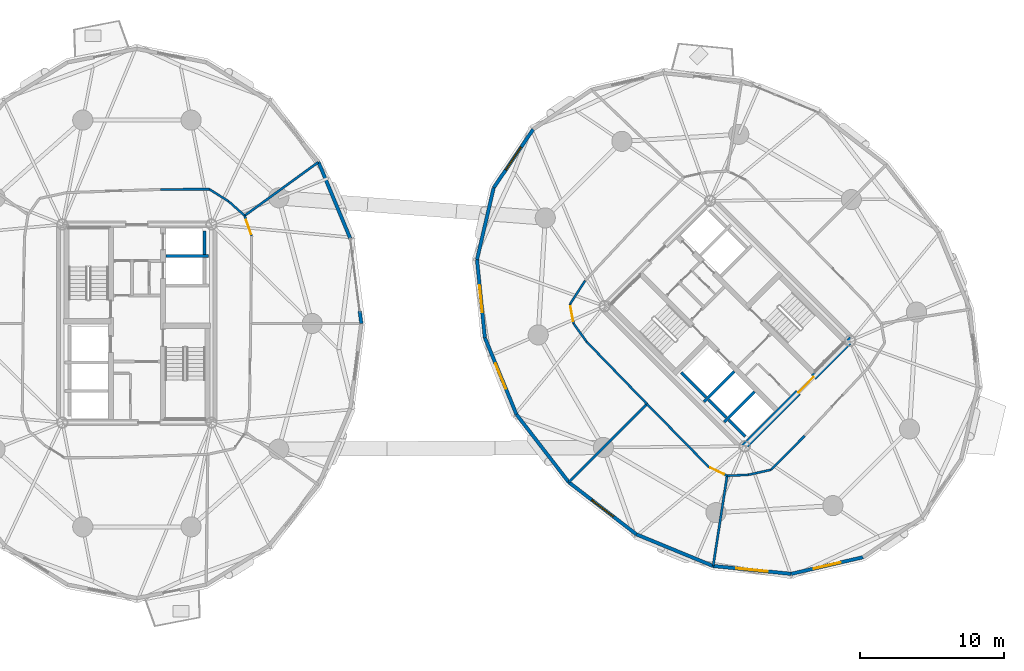
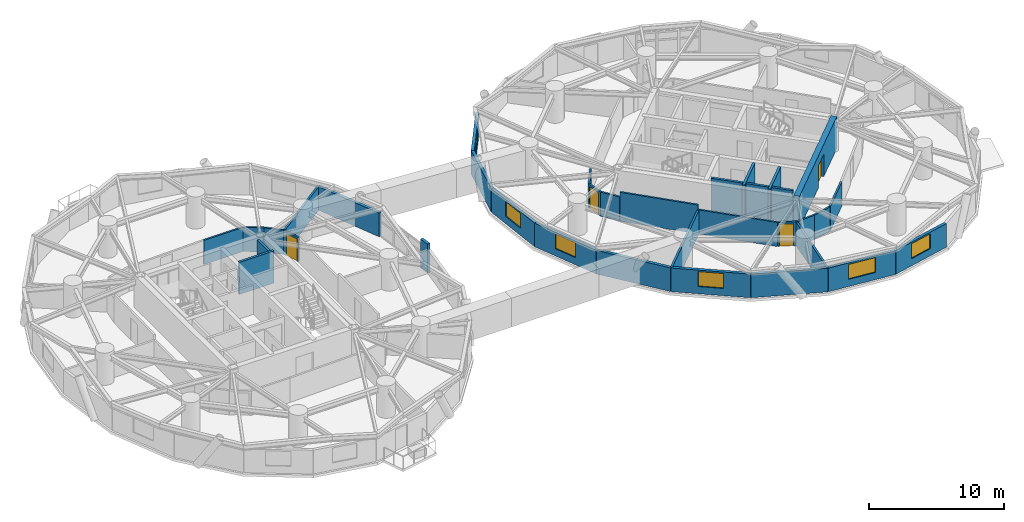
# One storey, part 12 of 18: 35 walls, 6 windows, 4 doors, 10 openings.
"""IFC4 building model written with IfcOpenShell, lengths in metres."""

from ifc_helpers import new_model, si_unit, direction, frame, frame_2d, origin, place, context, subcontext, project, spatial, rectangle, extrude, source, transform, mapped, material, layer, layer_set, type_object, element, fill, save


model = new_model("IFC4")

# Units and contexts
model_context = context("Model", 3, precision=1e-05, world=origin(), true_north=direction((0.0, 1.0)))
body_context = subcontext(model_context, "Body", "Model", "MODEL_VIEW")
ifc_project = project(units=[si_unit("LENGTHUNIT", "METRE"), si_unit("AREAUNIT", "SQUARE_METRE"), si_unit("VOLUMEUNIT", "CUBIC_METRE"), si_unit("PLANEANGLEUNIT", "RADIAN"), si_unit("MASSUNIT", "GRAM", prefix="KILO")], contexts=[model_context])

# Site, building, storey
site_placement = place(None, origin())
site = spatial("IfcSite", under=ifc_project, at=site_placement, CompositionType="ELEMENT")
building_placement = place(site_placement, origin())
building = spatial("IfcBuilding", under=site, at=building_placement, Name="Cununo Teusaquillo Station Towers", CompositionType="ELEMENT")
storey_placement = place(building_placement, frame((0.0, 0.0, 122.530029296875)))
storey = spatial("IfcBuildingStorey", under=building, at=storey_placement, Name="L39", CompositionType="ELEMENT", Elevation=122.530029296875)

# Walls
ifc_material_1 = material(Name="Concrete C50/60", Category="concrete")
ifc_layer_1 = layer(ifc_material_1, 0.199951171875)
ifc_layer_set_1 = layer_set([ifc_layer_1], Name="Concrete C50/60")
wall_type_1 = type_object("IfcWallType", Name="WL-CORE-200", PredefinedType="SHEAR", material=ifc_layer_set_1)
wall_1_placement = place(storey_placement, frame((18.510009765625, 29.175048828125, 0.0), z_axis=(0.0, 0.0, 1.0), x_axis=(1.0, 0.0, 0.0)))
element("IfcWall", 1, at=wall_1_placement, inside=storey, type_object=wall_type_1, Name="L39 Tower A Low-Rise Lift Hoistway Divider Shear Wall", PredefinedType="SHEAR", context=body_context, shape_type="SweptSolid", body=[
    extrude(rectangle(XDim=2.969970703125, YDim=0.199951171875, at=frame_2d((1.48486328125, 0.0))), origin(), (0.0, 0.0, 1.0), 2.909912109375),
])
wall_2_placement = place(storey_placement, frame((21.179931640625, 29.294921875, 0.0), z_axis=(0.0, 0.0, 1.0), x_axis=(0.0, 1.0, 0.0)))
element("IfcWall", 2, at=wall_2_placement, inside=storey, type_object=wall_type_1, Name="L39 Tower A Low-Rise Lift 2 Shaft Rear Shear Wall", PredefinedType="SHEAR", context=body_context, shape_type="SweptSolid", body=[
    extrude(rectangle(XDim=1.635009765625, YDim=0.199951171875, at=frame_2d((0.8173828125, 0.0))), origin(), (0.0, 0.0, 1.0), 2.909912109375),
])
wall_3_placement = place(storey_placement, frame((55.8876953125, 19.0693359375, 0.0), z_axis=(0.0, 0.0, 1.0), x_axis=(0.707106781187, 0.707106781187, 0.0)))
element("IfcWall", 3, at=wall_3_placement, inside=storey, type_object=wall_type_1, Name="L39 Tower B Firefighting Lift Shaft South Shear Wall", PredefinedType="SHEAR", context=body_context, shape_type="SweptSolid", body=[
    extrude(rectangle(XDim=2.969970703125, YDim=0.199951171875, at=frame_2d((1.48486328125, 0.0))), origin(), (0.0, 0.0, 1.0), 2.909912109375),
])
wall_4_placement = place(storey_placement, frame((56.01513671875, 19.366455078125, 0.0), z_axis=(0.0, 0.0, 1.0), x_axis=(-0.707106781187, 0.707106781187, 0.0)))
element("IfcWall", 4, at=wall_4_placement, inside=storey, type_object=wall_type_1, Name="L39 Tower B Firefighting Lift Shaft Rear Shear Wall", PredefinedType="SHEAR", context=body_context, shape_type="SweptSolid", body=[
    extrude(rectangle(XDim=2.43994140625, YDim=0.199951171875, at=frame_2d((1.219970703125, 0.0))), origin(), (0.0, 0.0, 1.0), 2.909912109375),
])
wall_5_placement = place(storey_placement, frame((57.2841796875, 17.6728515625, 0.0), z_axis=(0.0, 0.0, 1.0), x_axis=(0.707147878904, 0.70706568108, 0.0)))
element("IfcWall", 5, at=wall_5_placement, inside=storey, type_object=wall_type_1, Name="L39 Tower B High-Rise Lift Hoistway Divider Shear Wall", PredefinedType="SHEAR", context=body_context, shape_type="SweptSolid", body=[
    extrude(rectangle(XDim=2.97021484375, YDim=0.199951171875, at=frame_2d((1.485107421875, 0.0))), origin(), (0.0, 0.0, 1.0), 2.909912109375),
])
wall_6_placement = place(storey_placement, frame((57.41162109375, 17.969970703125, 0.0), z_axis=(0.0, 0.0, 1.0), x_axis=(-0.707106781187, 0.707106781187, 0.0)))
element("IfcWall", 6, at=wall_6_placement, inside=storey, type_object=wall_type_1, Name="L39 Tower B High-Rise Lift 2 Shaft Rear Shear Wall", PredefinedType="SHEAR", context=body_context, shape_type="SweptSolid", body=[
    extrude(rectangle(XDim=1.73486328125, YDim=0.199951171875, at=frame_2d((0.867431640625, 0.0))), origin(), (0.0, 0.0, 1.0), 2.909912109375),
])
wall_7_placement = place(storey_placement, frame((58.7373046875, 16.64404296875, 0.0), z_axis=(0.0, 0.0, 1.0), x_axis=(-0.707032117043, 0.707181437447, 0.0)))
element("IfcWall", 7, at=wall_7_placement, inside=storey, type_object=wall_type_1, Name="L39 Tower B High-Rise Lift 1 Shaft Rear Shear Wall", PredefinedType="SHEAR", context=body_context, shape_type="SweptSolid", body=[
    extrude(rectangle(XDim=1.635009765625, YDim=0.199951171875, at=frame_2d((0.8173828125, 0.0))), origin(), (0.0, 0.0, 1.0), 2.909912109375),
])

# Wall, opening, door
ifc_material_2 = material(Name="Concrete C60/75", Category="concrete")
ifc_layer_2 = layer(ifc_material_2, 0.449951171875)
ifc_layer_set_2 = layer_set([ifc_layer_2], Name="Concrete C60/75")
wall_type_2 = type_object("IfcWallType", Name="WL-CORE-450", PredefinedType="SHEAR", material=ifc_layer_set_2)
wall_8_placement = place(storey_placement, frame((58.578369140625, 15.855712890625, 0.0), z_axis=(0.0, 0.0, 1.0), x_axis=(0.707106781187, 0.707106781187, 0.0)))
wall_8 = element("IfcWall", 8, at=wall_8_placement, inside=storey, type_object=wall_type_2, Name="L39 Tower B Core Shear Wall S", PredefinedType="SHEAR", context=body_context, shape_type="SweptSolid", body=[
    extrude(rectangle(XDim=10.69970703125, YDim=0.449951171875, at=frame_2d((5.349853515625, 0.0))), origin(), (0.0, 0.0, 1.0), 2.909912109375),
])
shared_shape_1 = source(origin(), body_context, "Body", "SweptSolid", [
    extrude(rectangle(XDim=1.5, YDim=2.02001953125, at=frame_2d((0.75, 1.010009765625))), frame((0.0, 0.23486328125, 0.0), z_axis=(0.0, -1.0, 0.0), x_axis=(1.0, 0.0, 0.0)), (0.0, 0.0, 1.0), 0.469970703125),
])
opening_1_placement = place(wall_8_placement, frame((5.449951171875, 0.0, 0.0)))
opening_1 = element("IfcOpeningElement", 9, at=opening_1_placement, cuts=wall_8, Name="Opening D-LB1", PredefinedType="OPENING", context=body_context, shape_type="MappedRepresentation", body=[
    mapped(shared_shape_1, transform((0.0, 0.0, 0.0), x_axis=(1.0, 0.0, 0.0), y_axis=(0.0, 1.0, 0.0), z_axis=(0.0, 0.0, 1.0), scale=1.0)),
])
ifc_material_3 = material(Name="Galvanised fire-rated hollow steel door assembly", Category="steel")
door_type_1 = type_object("IfcDoorType", Name="DR-LOBBY-1500", OperationType="DOUBLE_DOOR_SINGLE_SWING", PredefinedType="DOOR", material=ifc_material_3)
shared_shape_2 = source(origin(), body_context, "Body", "SweptSolid", [
    extrude(rectangle(XDim=1.5, YDim=2.02001953125, at=frame_2d((0.75, 1.010009765625))), frame((0.0, 0.02490234375, 0.0), z_axis=(0.0, -1.0, 0.0), x_axis=(1.0, 0.0, 0.0)), (0.0, 0.0, 1.0), 0.050048828125),
])
door_1_placement = place(opening_1_placement, origin())
door_1 = element("IfcDoor", 10, at=door_1_placement, inside=storey, type_object=door_type_1, Name="L39 Tower B South Core Lift Lobby Door", OperationType="DOUBLE_DOOR_SINGLE_SWING", OverallHeight=2.02001953125, OverallWidth=1.5, PredefinedType="DOOR", context=body_context, shape_type="MappedRepresentation", body=[
    mapped(shared_shape_2, transform((0.0, 0.0, 0.0), x_axis=(1.0, 0.0, 0.0), y_axis=(0.0, 1.0, 0.0), z_axis=(0.0, 0.0, 1.0), scale=1.0)),
])
fill(opening_1, door_1)

# Walls
ifc_material_4 = material(Name="Precast concrete C40/50", Category="concrete")
ifc_layer_3 = layer(ifc_material_4, 0.239990234375)
ifc_layer_set_3 = layer_set([ifc_layer_3], Name="Precast concrete C40/50")
wall_type_3 = type_object("IfcWallType", Name="WL-EXT-240", PredefinedType="SOLIDWALL", material=ifc_layer_set_3)
wall_9_placement = place(storey_placement, frame((31.96923828125, 25.36279296875, 0.0), z_axis=(0.0, 0.0, 1.0), x_axis=(0.128523364007, -0.991706481225, 0.0)))
element("IfcWall", 11, at=wall_9_placement, inside=storey, type_object=wall_type_3, Name="L39 Tower A Column Pier Cladding Wall C00-PB", PredefinedType="SOLIDWALL", context=body_context, shape_type="SweptSolid", body=[
    extrude(rectangle(XDim=0.8701171875, YDim=0.239990234375, at=frame_2d((0.43505859375, 0.0))), origin(), (0.0, 0.0, 1.0), 2.614990234375),
])
wall_10_placement = place(storey_placement, frame((29.105224609375, 35.708984375, 0.0), z_axis=(0.0, 0.0, 1.0), x_axis=(0.384344417632, -0.923189779317, 0.0)))
element("IfcWall", 12, at=wall_10_placement, inside=storey, type_object=wall_type_3, Name="L39 Tower A Exterior Facade Wall C01", PredefinedType="SOLIDWALL", context=body_context, shape_type="SweptSolid", body=[
    extrude(rectangle(XDim=5.75830078125, YDim=0.239990234375, at=frame_2d((2.879150390625, 0.0))), origin(), (0.0, 0.0, 1.0), 2.138916015625),
])

# Wall, opening, window
wall_11_placement = place(storey_placement, frame((41.27099609375, 33.919921875, 0.0), z_axis=(0.0, 0.0, 1.0), x_axis=(0.559572880421, 0.828781148131, 0.0)))
wall_11 = element("IfcWall", 13, at=wall_11_placement, inside=storey, type_object=wall_type_3, Name="L39 Tower B Exterior Facade Wall C05", PredefinedType="SOLIDWALL", context=body_context, shape_type="SweptSolid", body=[
    extrude(rectangle(XDim=4.904541015625, YDim=0.239990234375, at=frame_2d((2.4521484375, 0.0))), origin(), (0.0, 0.0, 1.0), 2.138916015625),
])
shared_shape_3 = source(origin(), body_context, "Body", "SweptSolid", [
    extrude(rectangle(XDim=1.89990234375, YDim=1.35009765625, at=frame_2d((0.949951171875, 0.675048828125))), frame((0.0, 0.1298828125, 0.0), z_axis=(0.0, -1.0, 0.0), x_axis=(1.0, 0.0, 0.0)), (0.0, 0.0, 1.0), 0.260009765625),
])
opening_2_placement = place(wall_11_placement, frame((1.501953125, 0.0, 0.64990234375)))
opening_2 = element("IfcOpeningElement", 14, at=opening_2_placement, cuts=wall_11, Name="Opening WN-02", PredefinedType="OPENING", context=body_context, shape_type="MappedRepresentation", body=[
    mapped(shared_shape_3, transform((0.0, 0.0, 0.0), x_axis=(1.0, 0.0, 0.0), y_axis=(0.0, 1.0, 0.0), z_axis=(0.0, 0.0, 1.0), scale=1.0)),
])
ifc_material_5 = material(Name="Operable acoustic tinted low-E double glazing", Category="glass")
window_type_1 = type_object("IfcWindowType", Name="WIN-OPER-1900", PartitioningType="DOUBLE_PANEL_VERTICAL", PredefinedType="WINDOW", material=ifc_material_5)
shared_shape_4 = source(origin(), body_context, "Body", "SweptSolid", [
    extrude(rectangle(XDim=1.89990234375, YDim=1.35009765625, at=frame_2d((0.949951171875, 0.675048828125))), frame((0.0, 0.030029296875, 0.0), z_axis=(0.0, -1.0, 0.0), x_axis=(1.0, 0.0, 0.0)), (0.0, 0.0, 1.0), 0.06005859375),
])
window_1_placement = place(opening_2_placement, origin())
window_1 = element("IfcWindow", 15, at=window_1_placement, inside=storey, type_object=window_type_1, Name="L39 Tower B Facade Window C05", OverallHeight=1.35009765625, OverallWidth=1.89990234375, PartitioningType="DOUBLE_PANEL_VERTICAL", PredefinedType="WINDOW", context=body_context, shape_type="MappedRepresentation", body=[
    mapped(shared_shape_4, transform((0.0, 0.0, 0.0), x_axis=(1.0, 0.0, 0.0), y_axis=(0.0, 1.0, 0.0), z_axis=(0.0, 0.0, 1.0), scale=1.0)),
])
fill(opening_2, window_1)

# Wall
wall_12_placement = place(storey_placement, frame((40.114990234375, 28.933349609375, 0.0), z_axis=(0.0, 0.0, 1.0), x_axis=(0.225834725257, 0.974165631126, 0.0)))
element("IfcWall", 16, at=wall_12_placement, inside=storey, type_object=wall_type_3, Name="L39 Tower B Exterior Facade Wall C06", PredefinedType="SOLIDWALL", context=body_context, shape_type="SweptSolid", body=[
    extrude(rectangle(XDim=5.118896484375, YDim=0.239990234375, at=frame_2d((2.5595703125, 0.0))), origin(), (0.0, 0.0, 1.0), 2.138916015625),
])

# Wall, opening, window
wall_13_placement = place(storey_placement, frame((40.66064453125, 23.5126953125, 0.0), z_axis=(0.0, 0.0, 1.0), x_axis=(-0.10015591906, 0.994971754311, 0.0)))
wall_13 = element("IfcWall", 17, at=wall_13_placement, inside=storey, type_object=wall_type_3, Name="L39 Tower B Exterior Facade Wall C07", PredefinedType="SOLIDWALL", context=body_context, shape_type="SweptSolid", body=[
    extrude(rectangle(XDim=5.447998046875, YDim=0.239990234375, at=frame_2d((2.72412109375, 0.0))), origin(), (0.0, 0.0, 1.0), 2.138916015625),
])
opening_3_placement = place(wall_13_placement, frame((1.77392578125, 0.0, 0.64990234375)))
opening_3 = element("IfcOpeningElement", 18, at=opening_3_placement, cuts=wall_13, Name="Opening WN-02", PredefinedType="OPENING", context=body_context, shape_type="MappedRepresentation", body=[
    mapped(shared_shape_3, transform((0.0, 0.0, 0.0), x_axis=(1.0, 0.0, 0.0), y_axis=(0.0, 1.0, 0.0), z_axis=(0.0, 0.0, 1.0), scale=1.0)),
])
window_2_placement = place(opening_3_placement, origin())
window_2 = element("IfcWindow", 19, at=window_2_placement, inside=storey, type_object=window_type_1, Name="L39 Tower B Facade Window C07", OverallHeight=1.35009765625, OverallWidth=1.89990234375, PartitioningType="DOUBLE_PANEL_VERTICAL", PredefinedType="WINDOW", context=body_context, shape_type="MappedRepresentation", body=[
    mapped(shared_shape_4, transform((0.0, 0.0, 0.0), x_axis=(1.0, 0.0, 0.0), y_axis=(0.0, 1.0, 0.0), z_axis=(0.0, 0.0, 1.0), scale=1.0)),
])
fill(opening_3, window_2)

wall_14_placement = place(storey_placement, frame((42.854736328125, 18.188720703125, 0.0), z_axis=(0.0, 0.0, 1.0), x_axis=(-0.381027003055, 0.924563909604, 0.0)))
wall_14 = element("IfcWall", 20, at=wall_14_placement, inside=storey, type_object=wall_type_3, Name="L39 Tower B Exterior Facade Wall C08", PredefinedType="SOLIDWALL", context=body_context, shape_type="SweptSolid", body=[
    extrude(rectangle(XDim=5.75830078125, YDim=0.239990234375, at=frame_2d((2.879150390625, 0.0))), origin(), (0.0, 0.0, 1.0), 2.138916015625),
])
opening_4_placement = place(wall_14_placement, frame((1.928955078125, 0.0, 0.64990234375)))
opening_4 = element("IfcOpeningElement", 21, at=opening_4_placement, cuts=wall_14, Name="Opening WN-02", PredefinedType="OPENING", context=body_context, shape_type="MappedRepresentation", body=[
    mapped(shared_shape_3, transform((0.0, 0.0, 0.0), x_axis=(1.0, 0.0, 0.0), y_axis=(0.0, 1.0, 0.0), z_axis=(0.0, 0.0, 1.0), scale=1.0)),
])
window_3_placement = place(opening_4_placement, origin())
window_3 = element("IfcWindow", 22, at=window_3_placement, inside=storey, type_object=window_type_1, Name="L39 Tower B Facade Window C08", OverallHeight=1.35009765625, OverallWidth=1.89990234375, PartitioningType="DOUBLE_PANEL_VERTICAL", PredefinedType="WINDOW", context=body_context, shape_type="MappedRepresentation", body=[
    mapped(shared_shape_4, transform((0.0, 0.0, 0.0), x_axis=(1.0, 0.0, 0.0), y_axis=(0.0, 1.0, 0.0), z_axis=(0.0, 0.0, 1.0), scale=1.0)),
])
fill(opening_4, window_3)

# Wall
wall_15_placement = place(storey_placement, frame((46.482666015625, 13.482666015625, 0.0), z_axis=(0.0, 0.0, 1.0), x_axis=(-0.61054437102, 0.791982052206, 0.0)))
element("IfcWall", 23, at=wall_15_placement, inside=storey, type_object=wall_type_3, Name="L39 Tower B Exterior Facade Wall C09", PredefinedType="SOLIDWALL", context=body_context, shape_type="SweptSolid", body=[
    extrude(rectangle(XDim=5.942138671875, YDim=0.239990234375, at=frame_2d((2.97119140625, 0.0))), origin(), (0.0, 0.0, 1.0), 2.138916015625),
])

# Wall, opening, window
wall_16_placement = place(storey_placement, frame((51.188720703125, 9.854736328125, 0.0), z_axis=(0.0, 0.0, 1.0), x_axis=(-0.791982052206, 0.61054437102, 0.0)))
wall_16 = element("IfcWall", 24, at=wall_16_placement, inside=storey, type_object=wall_type_3, Name="L39 Tower B Exterior Facade Wall C10", PredefinedType="SOLIDWALL", context=body_context, shape_type="SweptSolid", body=[
    extrude(rectangle(XDim=5.942138671875, YDim=0.239990234375, at=frame_2d((2.97119140625, 0.0))), origin(), (0.0, 0.0, 1.0), 2.138916015625),
])
opening_5_placement = place(wall_16_placement, frame((2.02099609375, 0.0, 0.64990234375)))
opening_5 = element("IfcOpeningElement", 25, at=opening_5_placement, cuts=wall_16, Name="Opening WN-02", PredefinedType="OPENING", context=body_context, shape_type="MappedRepresentation", body=[
    mapped(shared_shape_3, transform((0.0, 0.0, 0.0), x_axis=(1.0, 0.0, 0.0), y_axis=(0.0, 1.0, 0.0), z_axis=(0.0, 0.0, 1.0), scale=1.0)),
])
window_4_placement = place(opening_5_placement, origin())
window_4 = element("IfcWindow", 26, at=window_4_placement, inside=storey, type_object=window_type_1, Name="L39 Tower B Facade Window C10", OverallHeight=1.35009765625, OverallWidth=1.89990234375, PartitioningType="DOUBLE_PANEL_VERTICAL", PredefinedType="WINDOW", context=body_context, shape_type="MappedRepresentation", body=[
    mapped(shared_shape_4, transform((0.0, 0.0, 0.0), x_axis=(1.0, 0.0, 0.0), y_axis=(0.0, 1.0, 0.0), z_axis=(0.0, 0.0, 1.0), scale=1.0)),
])
fill(opening_5, window_4)

# Wall
wall_17_placement = place(storey_placement, frame((56.5126953125, 7.66064453125, 0.0), z_axis=(0.0, 0.0, 1.0), x_axis=(-0.924563909604, 0.381027003055, 0.0)))
element("IfcWall", 27, at=wall_17_placement, inside=storey, type_object=wall_type_3, Name="L39 Tower B Exterior Facade Wall C11", PredefinedType="SOLIDWALL", context=body_context, shape_type="SweptSolid", body=[
    extrude(rectangle(XDim=5.75830078125, YDim=0.239990234375, at=frame_2d((2.879150390625, 0.0))), origin(), (0.0, 0.0, 1.0), 2.138916015625),
])

# Wall, opening, window
wall_18_placement = place(storey_placement, frame((61.933349609375, 7.114990234375, 0.0), z_axis=(0.0, 0.0, 1.0), x_axis=(-0.994971754311, 0.10015591906, 0.0)))
wall_18 = element("IfcWall", 28, at=wall_18_placement, inside=storey, type_object=wall_type_3, Name="L39 Tower B Exterior Facade Wall C12", PredefinedType="SOLIDWALL", context=body_context, shape_type="SweptSolid", body=[
    extrude(rectangle(XDim=5.447998046875, YDim=0.239990234375, at=frame_2d((2.72412109375, 0.0))), origin(), (0.0, 0.0, 1.0), 2.138916015625),
])
shared_shape_5 = source(origin(), body_context, "Body", "SweptSolid", [
    extrude(rectangle(XDim=2.199951171875, YDim=1.35009765625, at=frame_2d((1.10009765625, 0.675048828125))), frame((0.0, 0.1298828125, 0.0), z_axis=(0.0, -1.0, 0.0), x_axis=(1.0, 0.0, 0.0)), (0.0, 0.0, 1.0), 0.260009765625),
])
opening_6_placement = place(wall_18_placement, frame((1.6240234375, 0.0, 0.64990234375)))
opening_6 = element("IfcOpeningElement", 29, at=opening_6_placement, cuts=wall_18, Name="Opening WN-01", PredefinedType="OPENING", context=body_context, shape_type="MappedRepresentation", body=[
    mapped(shared_shape_5, transform((0.0, 0.0, 0.0), x_axis=(1.0, 0.0, 0.0), y_axis=(0.0, 1.0, 0.0), z_axis=(0.0, 0.0, 1.0), scale=1.0)),
])
ifc_material_6 = material(Name="Ceramic-fritted dark low-E double glazing", Category="glass")
window_type_2 = type_object("IfcWindowType", Name="WIN-FRIT-2200", PartitioningType="DOUBLE_PANEL_VERTICAL", PredefinedType="WINDOW", material=ifc_material_6)
shared_shape_6 = source(origin(), body_context, "Body", "SweptSolid", [
    extrude(rectangle(XDim=2.199951171875, YDim=1.35009765625, at=frame_2d((1.10009765625, 0.675048828125))), frame((0.0, 0.030029296875, 0.0), z_axis=(0.0, -1.0, 0.0), x_axis=(1.0, 0.0, 0.0)), (0.0, 0.0, 1.0), 0.06005859375),
])
window_5_placement = place(opening_6_placement, origin())
window_5 = element("IfcWindow", 30, at=window_5_placement, inside=storey, type_object=window_type_2, Name="L39 Tower B Facade Window C12", OverallHeight=1.35009765625, OverallWidth=2.199951171875, PartitioningType="DOUBLE_PANEL_VERTICAL", PredefinedType="WINDOW", context=body_context, shape_type="MappedRepresentation", body=[
    mapped(shared_shape_6, transform((0.0, 0.0, 0.0), x_axis=(1.0, 0.0, 0.0), y_axis=(0.0, 1.0, 0.0), z_axis=(0.0, 0.0, 1.0), scale=1.0)),
])
fill(opening_6, window_5)

wall_19_placement = place(storey_placement, frame((66.919921875, 8.27099609375, 0.0), z_axis=(0.0, 0.0, 1.0), x_axis=(-0.974165631126, -0.225834725257, 0.0)))
wall_19 = element("IfcWall", 31, at=wall_19_placement, inside=storey, type_object=wall_type_3, Name="L39 Tower B Exterior Facade Wall C13", PredefinedType="SOLIDWALL", context=body_context, shape_type="SweptSolid", body=[
    extrude(rectangle(XDim=5.118896484375, YDim=0.239990234375, at=frame_2d((2.5595703125, 0.0))), origin(), (0.0, 0.0, 1.0), 2.138916015625),
])
opening_7_placement = place(wall_19_placement, frame((1.60888671875, 0.0, 0.64990234375)))
opening_7 = element("IfcOpeningElement", 32, at=opening_7_placement, cuts=wall_19, Name="Opening WN-02", PredefinedType="OPENING", context=body_context, shape_type="MappedRepresentation", body=[
    mapped(shared_shape_3, transform((0.0, 0.0, 0.0), x_axis=(1.0, 0.0, 0.0), y_axis=(0.0, 1.0, 0.0), z_axis=(0.0, 0.0, 1.0), scale=1.0)),
])
window_6_placement = place(opening_7_placement, origin())
window_6 = element("IfcWindow", 33, at=window_6_placement, inside=storey, type_object=window_type_1, Name="L39 Tower B Facade Window C13", OverallHeight=1.35009765625, OverallWidth=1.89990234375, PartitioningType="DOUBLE_PANEL_VERTICAL", PredefinedType="WINDOW", context=body_context, shape_type="MappedRepresentation", body=[
    mapped(shared_shape_4, transform((0.0, 0.0, 0.0), x_axis=(1.0, 0.0, 0.0), y_axis=(0.0, 1.0, 0.0), z_axis=(0.0, 0.0, 1.0), scale=1.0)),
])
fill(opening_7, window_6)

# Wall, opening, door
ifc_material_7 = material(Name="Fire-rated gypsum plasterboard partition assembly", Category="gypsum")
ifc_layer_4 = layer(ifc_material_7, 0.14990234375)
ifc_layer_set_4 = layer_set([ifc_layer_4], Name="Fire-rated gypsum plasterboard partition assembly")
wall_type_4 = type_object("IfcWallType", Name="WL-PART-150", PredefinedType="PARTITIONING", material=ifc_layer_set_4)
wall_20_placement = place(storey_placement, frame((24.468994140625, 30.581787109375, 0.0), z_axis=(0.0, 0.0, 1.0), x_axis=(-0.328902536986, 0.944363871166, 0.0)))
wall_20 = element("IfcWall", 34, at=wall_20_placement, inside=storey, type_object=wall_type_4, Name="L39 Tower A Corridor Ring Wall C01", PredefinedType="PARTITIONING", context=body_context, shape_type="SweptSolid", body=[
    extrude(rectangle(XDim=1.487548828125, YDim=0.14990234375, at=frame_2d((0.74365234375, 0.0))), origin(), (0.0, 0.0, 1.0), 2.18505859375),
])
shared_shape_7 = source(origin(), body_context, "Body", "SweptSolid", [
    extrude(rectangle(XDim=1.050048828125, YDim=2.014892578125, at=frame_2d((0.52490234375, 1.00732421875))), frame((0.0, 0.0849609375, 0.0), z_axis=(0.0, -1.0, 0.0), x_axis=(1.0, 0.0, 0.0)), (0.0, 0.0, 1.0), 0.169921875),
])
opening_8_placement = place(wall_20_placement, frame((0.1201171875, 0.0, 0.0)))
opening_8 = element("IfcOpeningElement", 35, at=opening_8_placement, cuts=wall_20, Name="Opening D-SU1", PredefinedType="OPENING", context=body_context, shape_type="MappedRepresentation", body=[
    mapped(shared_shape_7, transform((0.0, 0.0, 0.0), x_axis=(1.0, 0.0, 0.0), y_axis=(0.0, 1.0, 0.0), z_axis=(0.0, 0.0, 1.0), scale=1.0)),
])
ifc_material_8 = material(Name="Acoustic solid-core hardwood leaf assembly", Category="wood")
door_type_2 = type_object("IfcDoorType", Name="DR-SUITE-1050", OperationType="NOTDEFINED", PredefinedType="DOOR", material=ifc_material_8)
shared_shape_8 = source(origin(), body_context, "Body", "SweptSolid", [
    extrude(rectangle(XDim=1.050048828125, YDim=2.014892578125, at=frame_2d((0.52490234375, 1.00732421875))), frame((0.0, 0.02490234375, 0.0), z_axis=(0.0, -1.0, 0.0), x_axis=(1.0, 0.0, 0.0)), (0.0, 0.0, 1.0), 0.050048828125),
])
door_2_placement = place(opening_8_placement, origin())
door_2 = element("IfcDoor", 36, at=door_2_placement, inside=storey, type_object=door_type_2, Name="L39 Tower A Media Production Control Room Entrance Door", OperationType="SINGLE_SWING_LEFT", OverallHeight=2.014892578125, OverallWidth=1.050048828125, PredefinedType="DOOR", context=body_context, shape_type="MappedRepresentation", body=[
    mapped(shared_shape_8, transform((0.0, 0.0, 0.0), x_axis=(1.0, 0.0, 0.0), y_axis=(0.0, 1.0, 0.0), z_axis=(0.0, 0.0, 1.0), scale=1.0)),
])
fill(opening_8, door_2)

# Walls
wall_21_placement = place(storey_placement, frame((23.979736328125, 31.986572265625, 0.0), z_axis=(0.0, 0.0, 1.0), x_axis=(-0.744317922268, 0.667825449193, 0.0)))
element("IfcWall", 37, at=wall_21_placement, inside=storey, type_object=wall_type_4, Name="L39 Tower A Corridor Ring Wall C02", PredefinedType="PARTITIONING", context=body_context, shape_type="SweptSolid", body=[
    extrude(rectangle(XDim=1.48095703125, YDim=0.14990234375, at=frame_2d((0.740478515625, 0.0))), origin(), (0.0, 0.0, 1.0), 2.18505859375),
])
wall_22_placement = place(storey_placement, frame((22.87744140625, 32.9755859375, 0.0), z_axis=(0.0, 0.0, 1.0), x_axis=(-0.846723232687, 0.532033614754, 0.0)))
element("IfcWall", 38, at=wall_22_placement, inside=storey, type_object=wall_type_4, Name="L39 Tower A Corridor Ring Wall C03", PredefinedType="PARTITIONING", context=body_context, shape_type="SweptSolid", body=[
    extrude(rectangle(XDim=1.594970703125, YDim=0.14990234375, at=frame_2d((0.79736328125, 0.0))), origin(), (0.0, 0.0, 1.0), 2.18505859375),
])
wall_23_placement = place(storey_placement, frame((21.52685546875, 33.82421875, 0.0), z_axis=(0.0, 0.0, 1.0), x_axis=(-0.999990631344, -0.00432865146, 0.0)))
element("IfcWall", 39, at=wall_23_placement, inside=storey, type_object=wall_type_4, Name="L39 Tower A Corridor Ring Wall C04", PredefinedType="PARTITIONING", context=body_context, shape_type="SweptSolid", body=[
    extrude(rectangle(XDim=3.384033203125, YDim=0.14990234375, at=frame_2d((1.69189453125, 0.0))), origin(), (0.0, 0.0, 1.0), 2.18505859375),
])
wall_24_placement = place(storey_placement, frame((47.623046875, 27.475341796875, 0.0), z_axis=(0.0, 0.0, 1.0), x_axis=(-0.54158041545, -0.840648947898, 0.0)))
element("IfcWall", 40, at=wall_24_placement, inside=storey, type_object=wall_type_4, Name="L39 Tower B Corridor Ring Wall C06", PredefinedType="PARTITIONING", context=body_context, shape_type="SweptSolid", body=[
    extrude(rectangle(XDim=1.933837890625, YDim=0.14990234375, at=frame_2d((0.966796875, 0.0))), origin(), (0.0, 0.0, 1.0), 2.18505859375),
])

# Wall, opening, door
wall_25_placement = place(storey_placement, frame((46.57568359375, 25.849609375, 0.0), z_axis=(0.0, 0.0, 1.0), x_axis=(0.178962865041, -0.983855829345, 0.0)))
wall_25 = element("IfcWall", 41, at=wall_25_placement, inside=storey, type_object=wall_type_4, Name="L39 Tower B Corridor Ring Wall C07", PredefinedType="PARTITIONING", context=body_context, shape_type="SweptSolid", body=[
    extrude(rectangle(XDim=1.387451171875, YDim=0.14990234375, at=frame_2d((0.69384765625, 0.0))), origin(), (0.0, 0.0, 1.0), 2.18505859375),
])
opening_9_placement = place(wall_25_placement, frame((0.150390625, 0.0, 0.0)))
opening_9 = element("IfcOpeningElement", 42, at=opening_9_placement, cuts=wall_25, Name="Opening D-SU1", PredefinedType="OPENING", context=body_context, shape_type="MappedRepresentation", body=[
    mapped(shared_shape_7, transform((0.0, 0.0, 0.0), x_axis=(1.0, 0.0, 0.0), y_axis=(0.0, 1.0, 0.0), z_axis=(0.0, 0.0, 1.0), scale=1.0)),
])
door_3_placement = place(opening_9_placement, origin())
door_3 = element("IfcDoor", 43, at=door_3_placement, inside=storey, type_object=door_type_2, Name="L39 Tower B Podcast & Interview Booth Entrance Door", OperationType="SINGLE_SWING_LEFT", OverallHeight=2.014892578125, OverallWidth=1.050048828125, PredefinedType="DOOR", context=body_context, shape_type="MappedRepresentation", body=[
    mapped(shared_shape_8, transform((0.0, 0.0, 0.0), x_axis=(1.0, 0.0, 0.0), y_axis=(0.0, 1.0, 0.0), z_axis=(0.0, 0.0, 1.0), scale=1.0)),
])
fill(opening_9, door_3)

# Walls
wall_26_placement = place(storey_placement, frame((46.823974609375, 24.484619140625, 0.0), z_axis=(0.0, 0.0, 1.0), x_axis=(0.584890953925, -0.811111935565, 0.0)))
element("IfcWall", 44, at=wall_26_placement, inside=storey, type_object=wall_type_4, Name="L39 Tower B Corridor Ring Wall C08", PredefinedType="PARTITIONING", context=body_context, shape_type="SweptSolid", body=[
    extrude(rectangle(XDim=1.546630859375, YDim=0.14990234375, at=frame_2d((0.7734375, 0.0))), origin(), (0.0, 0.0, 1.0), 2.18505859375),
])
wall_27_placement = place(storey_placement, frame((47.728515625, 23.230224609375, 0.0), z_axis=(0.0, 0.0, 1.0), x_axis=(0.696119834292, -0.717925606386, 0.0)))
element("IfcWall", 45, at=wall_27_placement, inside=storey, type_object=wall_type_4, Name="L39 Tower B Corridor Ring Wall C09", PredefinedType="PARTITIONING", context=body_context, shape_type="SweptSolid", body=[
    extrude(rectangle(XDim=6.012451171875, YDim=0.14990234375, at=frame_2d((3.00634765625, 0.0))), origin(), (0.0, 0.0, 1.0), 2.614990234375),
])
wall_28_placement = place(storey_placement, frame((51.913818359375, 18.913818359375, 0.0), z_axis=(0.0, 0.0, 1.0), x_axis=(0.6999614951, -0.71418058317, 0.0)))
element("IfcWall", 46, at=wall_28_placement, inside=storey, type_object=wall_type_4, Name="L39 Tower B Corridor Ring Wall C10", PredefinedType="PARTITIONING", context=body_context, shape_type="SweptSolid", body=[
    extrude(rectangle(XDim=6.129638671875, YDim=0.14990234375, at=frame_2d((3.06494140625, 0.0))), origin(), (0.0, 0.0, 1.0), 2.18505859375),
])

# Wall, opening, door
wall_29_placement = place(storey_placement, frame((56.204345703125, 14.5361328125, 0.0), z_axis=(0.0, 0.0, 1.0), x_axis=(0.902244982981, -0.431223828986, 0.0)))
wall_29 = element("IfcWall", 47, at=wall_29_placement, inside=storey, type_object=wall_type_4, Name="L39 Tower B Corridor Ring Wall C11", PredefinedType="PARTITIONING", context=body_context, shape_type="SweptSolid", body=[
    extrude(rectangle(XDim=1.4169921875, YDim=0.14990234375, at=frame_2d((0.70849609375, 0.0))), origin(), (0.0, 0.0, 1.0), 2.18505859375),
])
opening_10_placement = place(wall_29_placement, frame((0.1201171875, 0.0, 0.0)))
opening_10 = element("IfcOpeningElement", 48, at=opening_10_placement, cuts=wall_29, Name="Opening D-SU1", PredefinedType="OPENING", context=body_context, shape_type="MappedRepresentation", body=[
    mapped(shared_shape_7, transform((0.0, 0.0, 0.0), x_axis=(1.0, 0.0, 0.0), y_axis=(0.0, 1.0, 0.0), z_axis=(0.0, 0.0, 1.0), scale=1.0)),
])
door_4_placement = place(opening_10_placement, origin())
door_4 = element("IfcDoor", 49, at=door_4_placement, inside=storey, type_object=door_type_2, Name="L39 Tower B Civic Innovation Auditorium Hall Entrance Door", OperationType="SINGLE_SWING_RIGHT", OverallHeight=2.014892578125, OverallWidth=1.050048828125, PredefinedType="DOOR", context=body_context, shape_type="MappedRepresentation", body=[
    mapped(shared_shape_8, transform((0.0, 0.0, 0.0), x_axis=(1.0, 0.0, 0.0), y_axis=(0.0, 1.0, 0.0), z_axis=(0.0, 0.0, 1.0), scale=1.0)),
])
fill(opening_10, door_4)

# Walls
wall_30_placement = place(storey_placement, frame((57.48291015625, 13.925048828125, 0.0), z_axis=(0.0, 0.0, 1.0), x_axis=(0.998884345706, 0.047223552414, 0.0)))
element("IfcWall", 50, at=wall_30_placement, inside=storey, type_object=wall_type_4, Name="L39 Tower B Corridor Ring Wall C12", PredefinedType="PARTITIONING", context=body_context, shape_type="SweptSolid", body=[
    extrude(rectangle(XDim=1.494140625, YDim=0.14990234375, at=frame_2d((0.7470703125, 0.0))), origin(), (0.0, 0.0, 1.0), 2.18505859375),
])
wall_31_placement = place(storey_placement, frame((58.975341796875, 13.99560546875, 0.0), z_axis=(0.0, 0.0, 1.0), x_axis=(0.975700857392, 0.219106907431, 0.0)))
element("IfcWall", 51, at=wall_31_placement, inside=storey, type_object=wall_type_4, Name="L39 Tower B Corridor Ring Wall C13", PredefinedType="PARTITIONING", context=body_context, shape_type="SweptSolid", body=[
    extrude(rectangle(XDim=1.591064453125, YDim=0.14990234375, at=frame_2d((0.79541015625, 0.0))), origin(), (0.0, 0.0, 1.0), 2.18505859375),
])
wall_32_placement = place(storey_placement, frame((60.52783203125, 14.34423828125, 0.0), z_axis=(0.0, 0.0, 1.0), x_axis=(0.704381645997, 0.709821454158, 0.0)))
element("IfcWall", 52, at=wall_32_placement, inside=storey, type_object=wall_type_4, Name="L39 Tower B Corridor Ring Wall C14", PredefinedType="PARTITIONING", context=body_context, shape_type="SweptSolid", body=[
    extrude(rectangle(XDim=3.321044921875, YDim=0.14990234375, at=frame_2d((1.66064453125, 0.0))), origin(), (0.0, 0.0, 1.0), 2.18505859375),
])
ifc_material_9 = material(Name="Fire-rated gypsum plasterboard partition assembly", Category="gypsum")
ifc_layer_5 = layer(ifc_material_9, 0.159912109375)
ifc_layer_set_5 = layer_set([ifc_layer_5], Name="Fire-rated gypsum plasterboard partition assembly")
wall_type_5 = type_object("IfcWallType", Name="WL-PART-160", PredefinedType="PARTITIONING", material=ifc_layer_set_5)
wall_33_placement = place(storey_placement, frame((23.979736328125, 31.986572265625, 0.0), z_axis=(0.0, 0.0, 1.0), x_axis=(0.809128798462, 0.587631336383, 0.0)))
element("IfcWall", 53, at=wall_33_placement, inside=storey, type_object=wall_type_5, Name="L39 Tower A Radial Suite Partition R02", PredefinedType="PARTITIONING", context=body_context, shape_type="SweptSolid", body=[
    extrude(rectangle(XDim=6.314697265625, YDim=0.159912109375, at=frame_2d((3.1572265625, 0.0))), origin(), (0.0, 0.0, 1.0), 2.138916015625),
])
wall_34_placement = place(storey_placement, frame((51.913818359375, 18.913818359375, 0.0), z_axis=(0.0, 0.0, 1.0), x_axis=(-0.707106781187, -0.707106781187, 0.0)))
element("IfcWall", 54, at=wall_34_placement, inside=storey, type_object=wall_type_5, Name="L39 Tower B Radial Suite Partition R04", PredefinedType="PARTITIONING", context=body_context, shape_type="SweptSolid", body=[
    extrude(rectangle(XDim=7.6611328125, YDim=0.159912109375, at=frame_2d((3.83056640625, 0.0))), origin(), (0.0, 0.0, 1.0), 2.138916015625),
])
wall_35_placement = place(storey_placement, frame((57.48291015625, 13.925048828125, 0.0), z_axis=(0.0, 0.0, 1.0), x_axis=(-0.153035505395, -0.988220690984, 0.0)))
element("IfcWall", 55, at=wall_35_placement, inside=storey, type_object=wall_type_5, Name="L39 Tower B Radial Suite Partition R05", PredefinedType="PARTITIONING", context=body_context, shape_type="SweptSolid", body=[
    extrude(rectangle(XDim=6.319091796875, YDim=0.159912109375, at=frame_2d((3.15966796875, 0.0))), origin(), (0.0, 0.0, 1.0), 2.138916015625),
])

save(model, "model.ifc")
